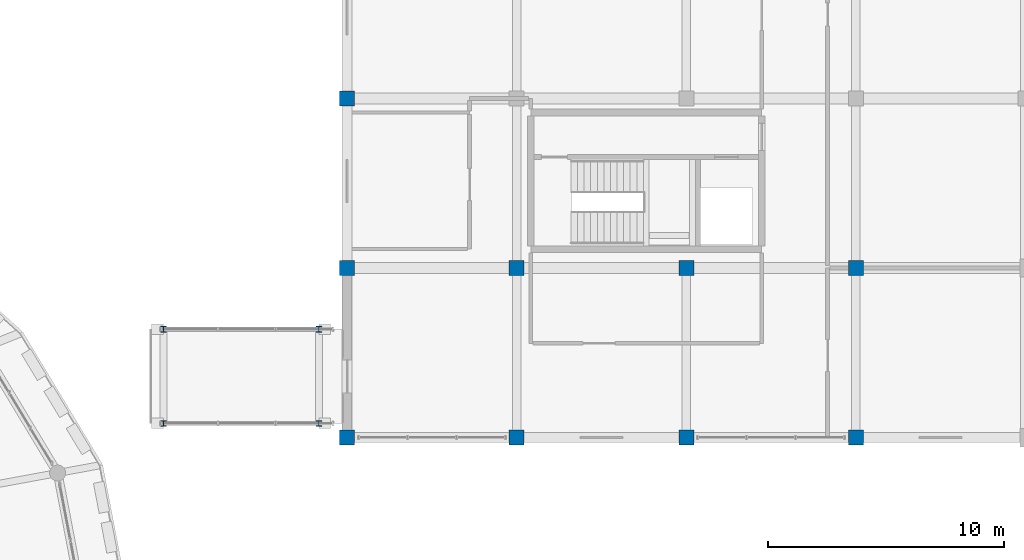
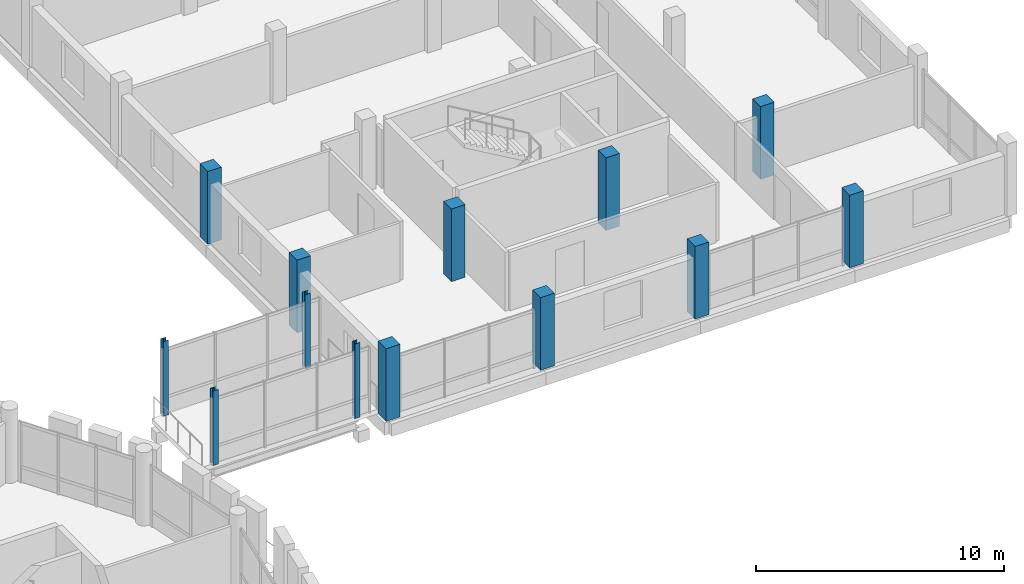
# One storey, part 9 of 128: 13 columns.
"""IFC4 building model written with IfcOpenShell, lengths in metres."""

from ifc_helpers import new_model, si_unit, direction, frame, origin, origin_2d, place, context, subcontext, project, spatial, rectangle, i_section, extrude, material, material_profile, profile_set, type_object, element, save


model = new_model("IFC4")

# Units and contexts
model_context = context("Model", 3, precision=1e-05, world=origin(), true_north=direction((0.0, 1.0)))
body_context = subcontext(model_context, "Body", "Model", "MODEL_VIEW")
ifc_project = project(units=[si_unit("LENGTHUNIT", "METRE"), si_unit("AREAUNIT", "SQUARE_METRE"), si_unit("VOLUMEUNIT", "CUBIC_METRE"), si_unit("PLANEANGLEUNIT", "RADIAN"), si_unit("MASSUNIT", "GRAM", prefix="KILO")], contexts=[model_context])

# Site, building, storey
site_placement = place(None, origin())
site = spatial("IfcSite", under=ifc_project, at=site_placement, CompositionType="ELEMENT")
building_placement = place(site_placement, origin())
building = spatial("IfcBuilding", under=site, at=building_placement, Name="Zornivar Specialist Clinic", CompositionType="ELEMENT")
storey_placement = place(building_placement, frame((0.0, 0.0, 4.5)))
storey = spatial("IfcBuildingStorey", under=building, at=storey_placement, Name="L01", CompositionType="ELEMENT", Elevation=4.5)

# Columns
ifc_material_1 = material(Name="Concrete C35/45", Category="concrete")
ifc_material_profile_1 = material_profile(ifc_material_1, rectangle(XDim=0.639892578125, YDim=0.639892578125, at=origin_2d()), Name="RC 640x640")
ifc_profile_set_1 = profile_set([ifc_material_profile_1], Name="Concrete C35/45")
column_type_1 = type_object("IfcColumnType", Name="COL-RC-640", PredefinedType="COLUMN", material=ifc_profile_set_1)
for number, where, z_axis, x_axis, name in (
    (1, (136.800048828125, 64.800048828125, 0.0), (0.0, 0.0, 1.0), (1.0, 0.0, 0.0), "col:V6:L01:1368_648"),
    (2, (136.800048828125, 72.0, 0.0), (0.0, 0.0, 1.0), (1.0, 0.0, 0.0), "col:V6:L01:1368_720"),
    (3, (136.800048828125, 79.199951171875, 0.0), (0.0, 0.0, 1.0), (1.0, 0.0, 0.0), "col:V6:L01:1368_792"),
    (4, (144.0, 64.800048828125, 0.0), (0.0, 0.0, 1.0), (1.0, 0.0, 0.0), "col:V6:L01:1440_648"),
    (5, (144.0, 72.0, 0.0), (0.0, 0.0, 1.0), (1.0, 0.0, 0.0), "col:V6:L01:1440_720"),
    (6, (151.199951171875, 64.800048828125, 0.0), (0.0, 0.0, 1.0), (1.0, 0.0, 0.0), "col:V6:L01:1512_648"),
    (7, (151.199951171875, 72.0, 0.0), (0.0, 0.0, 1.0), (1.0, 0.0, 0.0), "col:V6:L01:1512_720"),
    (8, (158.39990234375, 64.800048828125, 0.0), (0.0, 0.0, 1.0), (1.0, 0.0, 0.0), "col:V6:L01:1584_648"),
    (9, (158.39990234375, 72.0, 0.0), (0.0, 0.0, 1.0), (1.0, 0.0, 0.0), "col:V6:L01:1584_720"),
):
    element("IfcColumn", number, at=place(storey_placement, frame(where, z_axis=z_axis, x_axis=x_axis)), inside=storey, type_object=column_type_1, Name=name, PredefinedType="COLUMN", context=body_context, shape_type="SweptSolid", body=[
        extrude(rectangle(XDim=0.639892578125, YDim=0.639892578125, at=origin_2d()), origin(), (0.0, 0.0, 1.0), 3.580078125),
    ])
ifc_material_2 = material(Name="Steel S355J2", Category="steel")
ifc_material_profile_2 = material_profile(ifc_material_2, i_section(OverallWidth=0.239990234375, OverallDepth=0.239990234375, WebThickness=0.010009765625, FlangeThickness=0.01708984375, FilletRadius=0.02099609375, at=origin_2d()), Name="HEB 240")
ifc_profile_set_2 = profile_set([ifc_material_profile_2], Name="Steel S355J2")
column_type_2 = type_object("IfcColumnType", Name="COL-STL-HEB240", PredefinedType="COLUMN", material=ifc_profile_set_2)
for number, where, z_axis, x_axis, name in (
    (10, (129.0, 65.39990234375, 0.0), (0.0, 0.0, 1.0), (1.0, 0.0, 0.0), "col:BR3:L01:1290_654"),
    (11, (129.0, 69.39990234375, 0.0), (0.0, 0.0, 1.0), (1.0, 0.0, 0.0), "col:BR3:L01:1290_694"),
    (12, (135.60009765625, 65.39990234375, 0.0), (0.0, 0.0, 1.0), (1.0, 0.0, 0.0), "col:BR3:L01:1356_654"),
    (13, (135.60009765625, 69.39990234375, 0.0), (0.0, 0.0, 1.0), (1.0, 0.0, 0.0), "col:BR3:L01:1356_694"),
):
    element("IfcColumn", number, at=place(storey_placement, frame(where, z_axis=z_axis, x_axis=x_axis)), inside=storey, type_object=column_type_2, Name=name, PredefinedType="COLUMN", context=body_context, shape_type="SweptSolid", body=[
        extrude(i_section(OverallWidth=0.239990234375, OverallDepth=0.239990234375, WebThickness=0.010009765625, FlangeThickness=0.01708984375, FilletRadius=0.02099609375, at=origin_2d()), origin(), (0.0, 0.0, 1.0), 3.679931640625),
    ])

save(model, "model.ifc")
